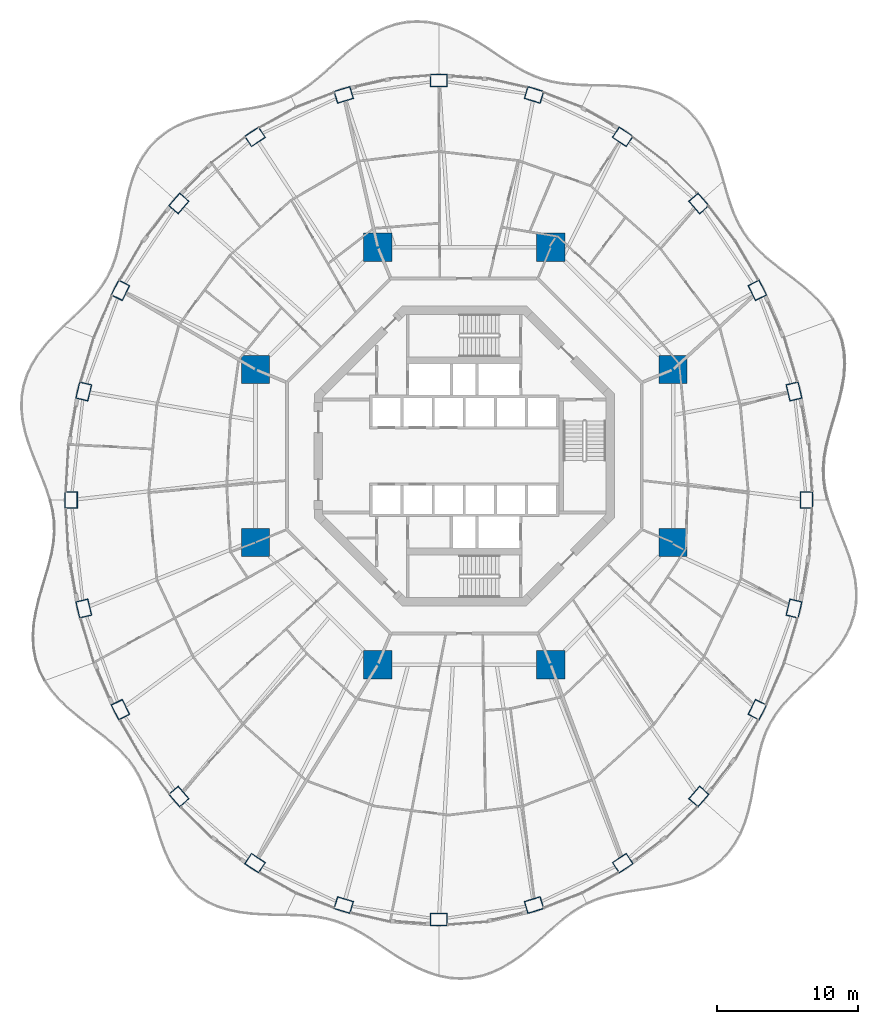
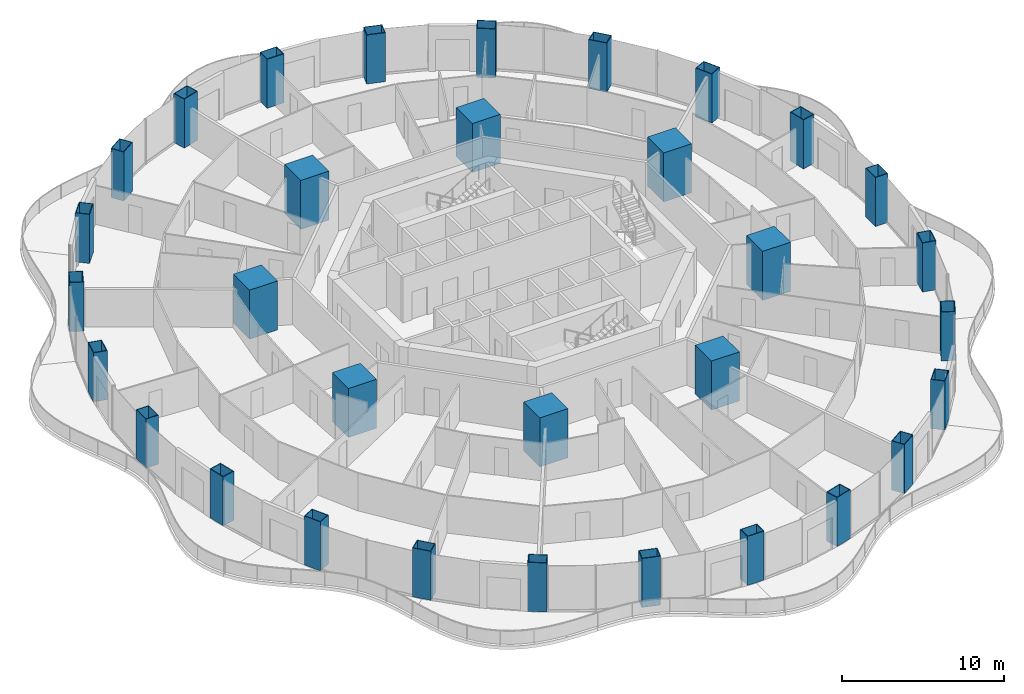
# One storey, part 1 of 21: 32 columns.
"""IFC4 building model written with IfcOpenShell, lengths in metres."""

from ifc_helpers import new_model, si_unit, direction, frame, origin, origin_2d, place, context, subcontext, project, spatial, rectangle, hollow_rectangle, extrude, material, material_profile, profile_set, type_object, element, save


model = new_model("IFC4")

# Units and contexts
model_context = context("Model", 3, precision=1e-05, world=origin(), true_north=direction((0.0, 1.0)))
body_context = subcontext(model_context, "Body", "Model", "MODEL_VIEW")
ifc_project = project(units=[si_unit("LENGTHUNIT", "METRE"), si_unit("AREAUNIT", "SQUARE_METRE"), si_unit("VOLUMEUNIT", "CUBIC_METRE"), si_unit("PLANEANGLEUNIT", "RADIAN"), si_unit("MASSUNIT", "GRAM", prefix="KILO")], contexts=[model_context])

# Site, building, storey
site_placement = place(None, origin())
site = spatial("IfcSite", under=ifc_project, at=site_placement, CompositionType="ELEMENT")
building_placement = place(site_placement, origin())
building = spatial("IfcBuilding", under=site, at=building_placement, Name="Nagisa Residences", CompositionType="ELEMENT")
storey_placement = place(building_placement, frame((0.0, 0.0, 134.39990234375)))
storey = spatial("IfcBuildingStorey", under=building, at=storey_placement, Name="L33", CompositionType="ELEMENT", Elevation=134.39990234375)

# Columns
ifc_material_1 = material(Name="Concrete C80", Category="concrete")
ifc_material_profile_1 = material_profile(ifc_material_1, rectangle(XDim=2.0, YDim=2.0, at=origin_2d()), Name="C80 2000x2000")
ifc_profile_set_1 = profile_set([ifc_material_profile_1], Name="Concrete C80")
column_type_1 = type_object("IfcColumnType", Name="Inner megacolumn C80 2000x2000", PredefinedType="COLUMN", material=ifc_profile_set_1)
for number, where, z_axis, x_axis, name in (
    (1, (14.781982421875, 6.123046875, 0.0), (0.0, 0.0, 1.0), (1.0, 0.0, 0.0), "col:L33:i1"),
    (2, (6.123046875, 14.781982421875, 0.0), (0.0, 0.0, 1.0), (1.0, 0.0, 0.0), "col:L33:i2"),
    (3, (-6.123046875, 14.781982421875, 0.0), (0.0, 0.0, 1.0), (1.0, 0.0, 0.0), "col:L33:i3"),
    (4, (-14.781982421875, 6.123046875, 0.0), (0.0, 0.0, 1.0), (1.0, 0.0, 0.0), "col:L33:i4"),
    (5, (-14.781982421875, -6.123046875, 0.0), (0.0, 0.0, 1.0), (1.0, 0.0, 0.0), "col:L33:i5"),
    (6, (-6.123046875, -14.781982421875, 0.0), (0.0, 0.0, 1.0), (1.0, 0.0, 0.0), "col:L33:i6"),
    (7, (6.123046875, -14.781982421875, 0.0), (0.0, 0.0, 1.0), (1.0, 0.0, 0.0), "col:L33:i7"),
    (8, (14.781982421875, -6.123046875, 0.0), (0.0, 0.0, 1.0), (1.0, 0.0, 0.0), "col:L33:i8"),
):
    element("IfcColumn", number, at=place(storey_placement, frame(where, z_axis=z_axis, x_axis=x_axis)), inside=storey, type_object=column_type_1, Name=name, PredefinedType="COLUMN", context=body_context, shape_type="SweptSolid", body=[
        extrude(rectangle(XDim=2.0, YDim=2.0, at=origin_2d()), origin(), (0.0, 0.0, 1.0), 3.7001953125),
    ])
ifc_material_2 = material(Name="Steel ASTM A572 Gr 50", Category="steel")
ifc_material_profile_2 = material_profile(ifc_material_2, hollow_rectangle(XDim=1.199951171875, YDim=0.89990234375, WallThickness=0.0400390625, at=origin_2d()), Name="BX 1200x900x40")
ifc_profile_set_2 = profile_set([ifc_material_profile_2], Name="Steel ASTM A572 Gr 50")
column_type_2 = type_object("IfcColumnType", Name="Perimeter column BX 1200x900x40", PredefinedType="COLUMN", material=ifc_profile_set_2)
for number, where, z_axis, x_axis, name in (
    (9, (24.235107421875, -3.11767578125, 0.0), (0.0, 0.0, 1.0), (0.0, 1.0, 0.0), "col:L33:p00"),
    (10, (23.347900390625, 4.56787109375, 0.0), (0.0, 0.0, 1.0), (-0.229202013103, 0.973378876486, 0.0), "col:L33:p01"),
    (11, (20.7470703125, 11.729736328125, 0.0), (0.0, 0.0, 1.0), (-0.452462697578, 0.891783329795, 0.0), "col:L33:p02"),
    (12, (16.609619140625, 17.8798828125, 0.0), (0.0, 0.0, 1.0), (-0.660114607735, 0.751164898445, 0.0), "col:L33:p03"),
    (13, (11.217529296875, 22.598876953125, 0.0), (0.0, 0.0, 1.0), (-0.835766105673, 0.54908561865, 0.0), "col:L33:p04"),
    (14, (4.938232421875, 25.5654296875, 0.0), (0.0, 0.0, 1.0), (-0.956524583408, 0.291651712384, 0.0), "col:L33:p05"),
    (15, (-1.800048828125, 26.577392578125, 0.0), (0.0, 0.0, 1.0), (-1.0, 0.0, 0.0), "col:L33:p06"),
    (16, (-8.538330078125, 25.5654296875, 0.0), (0.0, 0.0, 1.0), (-0.956524583408, -0.291651712384, 0.0), "col:L33:p07"),
    (17, (-14.8173828125, 22.598876953125, 0.0), (0.0, 0.0, 1.0), (-0.835766105673, -0.54908561865, 0.0), "col:L33:p08"),
    (18, (-20.20947265625, 17.8798828125, 0.0), (0.0, 0.0, 1.0), (-0.660114607735, -0.751164898445, 0.0), "col:L33:p09"),
    (19, (-24.346923828125, 11.729736328125, 0.0), (0.0, 0.0, 1.0), (-0.452462697578, -0.891783329795, 0.0), "col:L33:p10"),
    (20, (-26.947998046875, 4.56787109375, 0.0), (0.0, 0.0, 1.0), (-0.229202013103, -0.973378876486, 0.0), "col:L33:p11"),
    (21, (-27.8349609375, -3.11767578125, 0.0), (0.0, 0.0, 1.0), (0.0, -1.0, 0.0), "col:L33:p12"),
    (22, (-26.947998046875, -10.80322265625, 0.0), (0.0, 0.0, 1.0), (0.229202013103, -0.973378876486, 0.0), "col:L33:p13"),
    (23, (-24.346923828125, -17.965087890625, 0.0), (0.0, 0.0, 1.0), (0.452462697578, -0.891783329795, 0.0), "col:L33:p14"),
    (24, (-20.20947265625, -24.115234375, 0.0), (0.0, 0.0, 1.0), (0.660114607735, -0.751164898445, 0.0), "col:L33:p15"),
    (25, (-14.8173828125, -28.834228515625, 0.0), (0.0, 0.0, 1.0), (0.835766105673, -0.54908561865, 0.0), "col:L33:p16"),
    (26, (-8.538330078125, -31.80078125, 0.0), (0.0, 0.0, 1.0), (0.956524583408, -0.291651712384, 0.0), "col:L33:p17"),
    (27, (-1.800048828125, -32.812744140625, 0.0), (0.0, 0.0, 1.0), (1.0, 0.0, 0.0), "col:L33:p18"),
    (28, (4.938232421875, -31.80078125, 0.0), (0.0, 0.0, 1.0), (0.956524583408, 0.291651712384, 0.0), "col:L33:p19"),
    (29, (11.217529296875, -28.834228515625, 0.0), (0.0, 0.0, 1.0), (0.835766105673, 0.54908561865, 0.0), "col:L33:p20"),
    (30, (16.609619140625, -24.115234375, 0.0), (0.0, 0.0, 1.0), (0.660114607735, 0.751164898445, 0.0), "col:L33:p21"),
    (31, (20.7470703125, -17.965087890625, 0.0), (0.0, 0.0, 1.0), (0.452462697578, 0.891783329795, 0.0), "col:L33:p22"),
    (32, (23.347900390625, -10.80322265625, 0.0), (0.0, 0.0, 1.0), (0.229202013103, 0.973378876486, 0.0), "col:L33:p23"),
):
    element("IfcColumn", number, at=place(storey_placement, frame(where, z_axis=z_axis, x_axis=x_axis)), inside=storey, type_object=column_type_2, Name=name, PredefinedType="COLUMN", context=body_context, shape_type="SweptSolid", body=[
        extrude(hollow_rectangle(XDim=1.199951171875, YDim=0.89990234375, WallThickness=0.0400390625, at=origin_2d()), origin(), (0.0, 0.0, 1.0), 3.7001953125),
    ])

save(model, "model.ifc")
